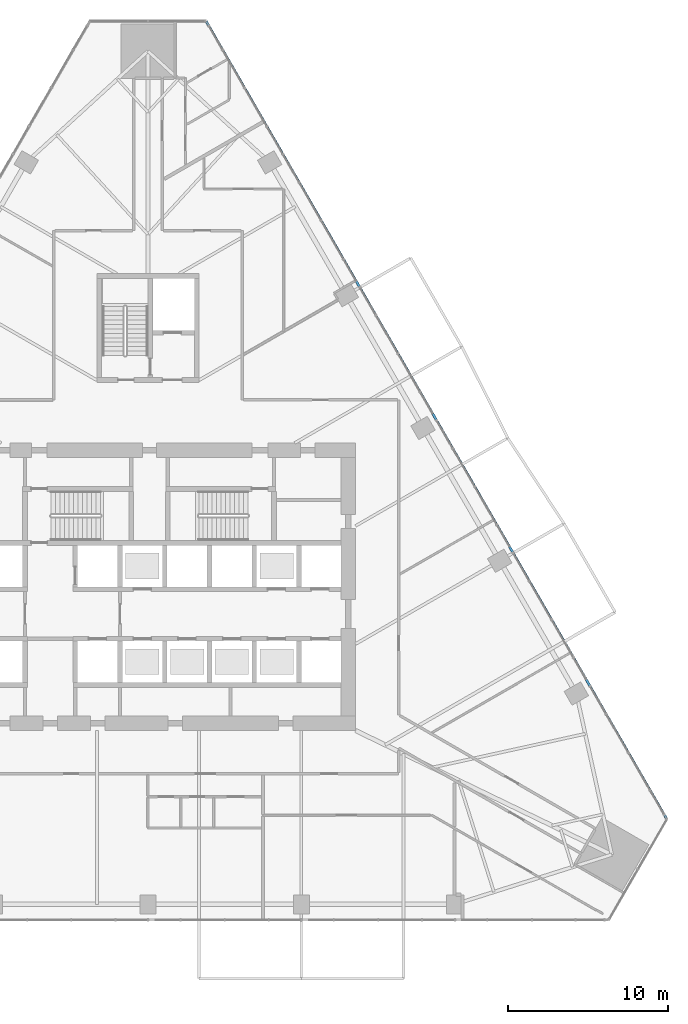
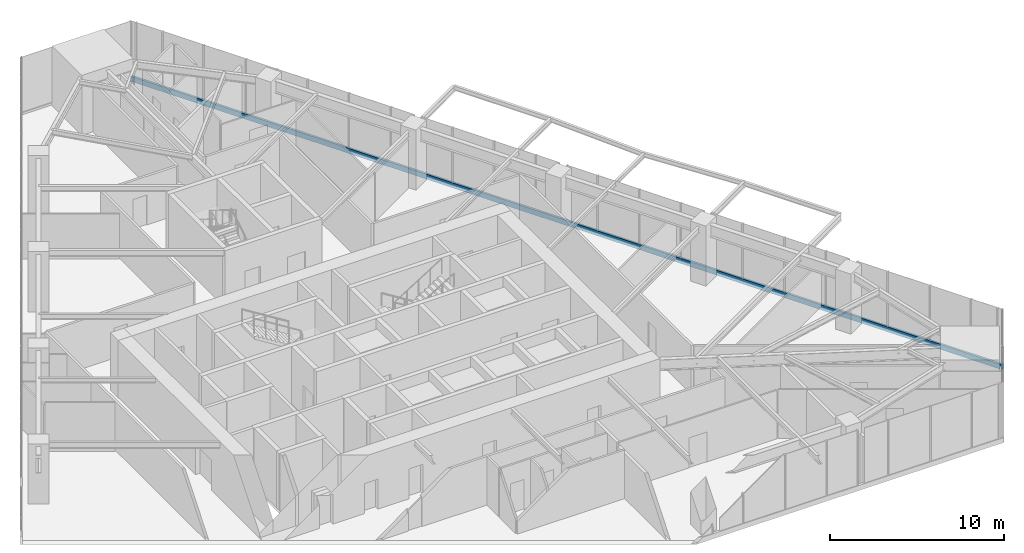
# One storey, part 12 of 29: 1 member, 1 element without a shape of its own.
"""IFC4 building model written with IfcOpenShell, lengths in metres."""

from ifc_helpers import new_model, si_unit, direction, frame, origin, origin_2d, place, context, subcontext, project, spatial, rectangle, extrude, material, layer, layer_set, material_profile, profile_set, type_object, element, aggregate, save


model = new_model("IFC4")

# Units and contexts
model_context = context("Model", 3, precision=1e-05, world=origin(), true_north=direction((0.0, 1.0)))
body_context = subcontext(model_context, "Body", "Model", "MODEL_VIEW")
ifc_project = project(units=[si_unit("LENGTHUNIT", "METRE"), si_unit("AREAUNIT", "SQUARE_METRE"), si_unit("VOLUMEUNIT", "CUBIC_METRE"), si_unit("PLANEANGLEUNIT", "RADIAN"), si_unit("MASSUNIT", "GRAM", prefix="KILO")], contexts=[model_context])

# Site, building, storey
site_placement = place(None, origin())
site = spatial("IfcSite", under=ifc_project, at=site_placement, CompositionType="ELEMENT")
building_placement = place(site_placement, origin())
building = spatial("IfcBuilding", under=site, at=building_placement, Name="Firuza Gate Tower and Library", CompositionType="ELEMENT")
storey_placement = place(building_placement, frame((0.0, 0.0, 44.199951171875)))
storey = spatial("IfcBuildingStorey", under=building, at=storey_placement, Name="L09", CompositionType="ELEMENT", Elevation=44.199951171875)

# Curtain wall, member
ifc_material_1 = material(Name="Aluminium 6063-T6", Category="aluminium")
ifc_layer = layer(ifc_material_1, 0.14990234375)
ifc_layer_set = layer_set([ifc_layer], Name="Unitised curtain wall, offices")
curtain_wall_type = type_object("IfcCurtainWallType", Name="Unitised curtain wall, offices", PredefinedType="NOTDEFINED", material=ifc_layer_set)
curtain_wall_placement = place(storey_placement, origin())
curtain_wall = element("IfcCurtainWall", 1, at=curtain_wall_placement, inside=storey, type_object=curtain_wall_type, Name="CW1 L09 E face", PredefinedType="NOTDEFINED")
ifc_material_2 = material(Name="Aluminium 6063-T6", Category="aluminium")
ifc_material_profile = material_profile(ifc_material_2, rectangle(XDim=0.14990234375, YDim=0.35009765625, at=origin_2d()))
ifc_profile_set = profile_set([ifc_material_profile], Name="Aluminium 6063-T6")
member_type = type_object("IfcMemberType", Name="Curtain wall transom 350x150", PredefinedType="USERDEFINED", material=ifc_profile_set)
member_placement = place(storey_placement, frame((107.486572265625, 60.45068359375, -0.02490234375), z_axis=(-0.499998069382, 0.866026518424, 0.0), x_axis=(-0.866026518424, -0.499998069382, 0.0)))
member = element("IfcMember", 2, at=member_placement, type_object=member_type, Name="Transom", ObjectType="TRANSOM", PredefinedType="USERDEFINED", context=body_context, shape_type="SweptSolid", body=[
    extrude(rectangle(XDim=0.14990234375, YDim=0.35009765625, at=origin_2d()), origin(), (0.0, 0.0, 1.0), 57.686767578125),
])
aggregate(curtain_wall, [member])

save(model, "model.ifc")
